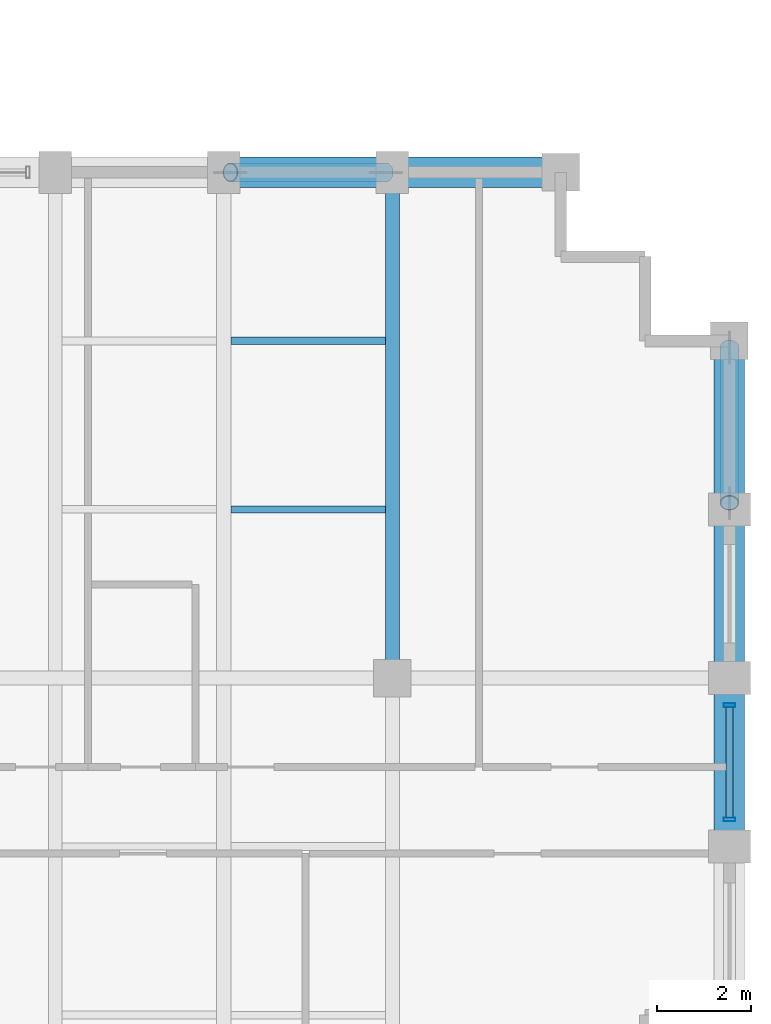
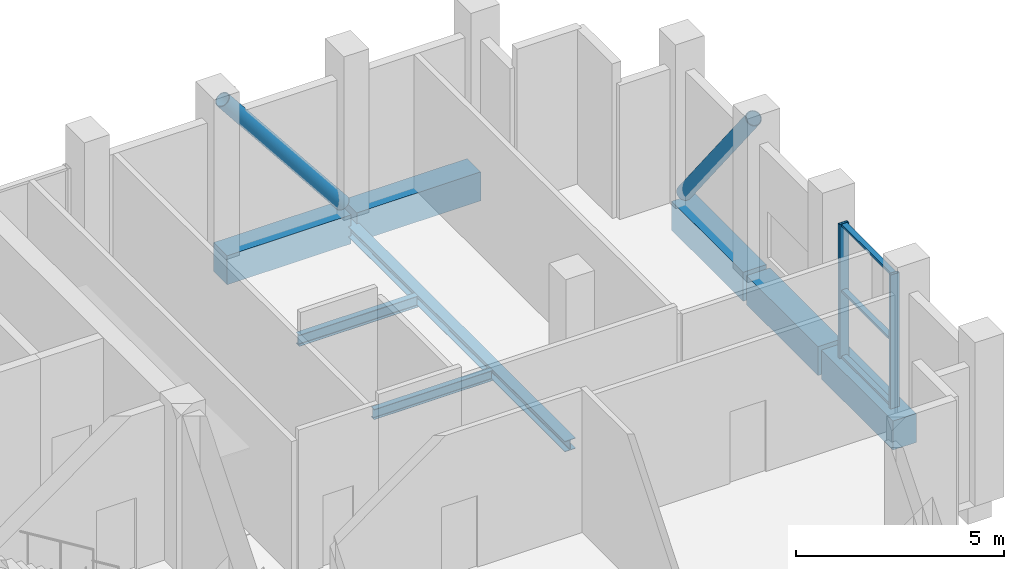
# One storey, part 10 of 16: 8 beams, 7 members, 1 element without a shape of its own.
"""IFC4 building model written with IfcOpenShell, lengths in metres."""

from ifc_helpers import new_model, si_unit, direction, frame, origin, origin_2d, place, context, subcontext, project, spatial, rectangle, hollow_rectangle, hollow_circle, i_section, extrude, material, layer, layer_set, material_profile, profile_set, type_object, element, aggregate, save


model = new_model("IFC4")

# Units and contexts
model_context = context("Model", 3, precision=1e-05, world=origin(), true_north=direction((0.0, 1.0)))
body_context = subcontext(model_context, "Body", "Model", "MODEL_VIEW")
ifc_project = project(units=[si_unit("LENGTHUNIT", "METRE"), si_unit("AREAUNIT", "SQUARE_METRE"), si_unit("VOLUMEUNIT", "CUBIC_METRE"), si_unit("PLANEANGLEUNIT", "RADIAN"), si_unit("MASSUNIT", "GRAM", prefix="KILO")], contexts=[model_context])

# Site, building, storey
site_placement = place(None, origin())
site = spatial("IfcSite", under=ifc_project, at=site_placement, CompositionType="ELEMENT")
building_placement = place(site_placement, origin())
building = spatial("IfcBuilding", under=site, at=building_placement, Name="Solnavia Interchange Tower", CompositionType="ELEMENT")
storey_placement = place(building_placement, frame((0.0, 0.0, 209.0)))
storey = spatial("IfcBuildingStorey", under=building, at=storey_placement, Name="L52", CompositionType="ELEMENT", Elevation=209.0)

# Beams
ifc_material_1 = material(Name="Steel S355", Category="steel")
ifc_material_profile_1 = material_profile(ifc_material_1, i_section(OverallWidth=0.14990234375, OverallDepth=0.300048828125, WebThickness=0.007080078125, FlangeThickness=0.0107421875, FilletRadius=0.014892578125, at=origin_2d()), Name="IPE 300")
ifc_profile_set_1 = profile_set([ifc_material_profile_1], Name="Steel S355")
beam_type_1 = type_object("IfcBeamType", Name="Beam-Joist-IPE300", PredefinedType="JOIST", material=ifc_profile_set_1)
beam_1_placement = place(storey_placement, frame((39.75, 18.0, -0.469970703125), z_axis=(1.0, 0.0, 0.0), x_axis=(0.0, 1.0, 0.0)))
element("IfcBeam", 1, at=beam_1_placement, inside=storey, type_object=beam_type_1, Name="JST-L52-E06 East wing secondary joist", PredefinedType="JOIST", context=body_context, shape_type="SweptSolid", body=[
    extrude(i_section(OverallWidth=0.14990234375, OverallDepth=0.300048828125, WebThickness=0.007080078125, FlangeThickness=0.0107421875, FilletRadius=0.014892578125, at=origin_2d()), origin(), (0.0, 0.0, 1.0), 3.300048828125),
])
ifc_material_profile_2 = material_profile(ifc_material_1, i_section(OverallWidth=0.159912109375, OverallDepth=0.330078125, WebThickness=0.007568359375, FlangeThickness=0.011474609375, FilletRadius=0.01806640625, at=origin_2d()), Name="IPE 330")
ifc_profile_set_2 = profile_set([ifc_material_profile_2], Name="Steel S355")
beam_type_2 = type_object("IfcBeamType", Name="Beam-Joist-IPE330", PredefinedType="JOIST", material=ifc_profile_set_2)
beam_2_placement = place(storey_placement, frame((39.75, 21.60009765625, -0.485107421875), z_axis=(1.0, 0.0, 0.0), x_axis=(0.0, 1.0, 0.0)))
element("IfcBeam", 2, at=beam_2_placement, inside=storey, type_object=beam_type_2, Name="JST-L52-E08 East wing secondary joist", PredefinedType="JOIST", context=body_context, shape_type="SweptSolid", body=[
    extrude(i_section(OverallWidth=0.159912109375, OverallDepth=0.330078125, WebThickness=0.007568359375, FlangeThickness=0.011474609375, FilletRadius=0.01806640625, at=origin_2d()), origin(), (0.0, 0.0, 1.0), 3.300048828125),
])
ifc_material_profile_3 = material_profile(ifc_material_1, i_section(OverallWidth=0.300048828125, OverallDepth=0.31005859375, WebThickness=0.009033203125, FlangeThickness=0.015380859375, FilletRadius=0.027099609375, at=origin_2d()), Name="HEA 320")
ifc_profile_set_3 = profile_set([ifc_material_profile_3], Name="Steel S355")
beam_type_3 = type_object("IfcBeamType", Name="Beam-Primary-HEA320", PredefinedType="BEAM", material=ifc_profile_set_3)
beam_3_placement = place(storey_placement, frame((43.199951171875, 14.47998046875, -0.47509765625), z_axis=(0.0, 1.0, 0.0), x_axis=(-1.0, 0.0, 0.0)))
element("IfcBeam", 3, at=beam_3_placement, inside=storey, type_object=beam_type_3, Name="GRD-L52-EW06 East wing primary floor girder", PredefinedType="BEAM", context=body_context, shape_type="SweptSolid", body=[
    extrude(i_section(OverallWidth=0.300048828125, OverallDepth=0.31005859375, WebThickness=0.009033203125, FlangeThickness=0.015380859375, FilletRadius=0.027099609375, at=origin_2d()), origin(), (0.0, 0.0, 1.0), 10.64013671875),
])
ifc_material_2 = material(Name="Concrete C50/60", Category="concrete")
ifc_material_profile_4 = material_profile(ifc_material_2, rectangle(XDim=0.64990234375, YDim=0.85009765625, at=origin_2d()), Name="RC 650x850")
ifc_profile_set_4 = profile_set([ifc_material_profile_4], Name="Concrete C50/60")
beam_type_4 = type_object("IfcBeamType", Name="Beam-Spandrel-RC650x850", PredefinedType="SPANDREL", material=ifc_profile_set_4)
beam_4_placement = place(storey_placement, frame((50.39990234375, 10.8798828125, -0.425048828125), z_axis=(0.0, 1.0, 0.0), x_axis=(-1.0, 0.0, 0.0)))
element("IfcBeam", 4, at=beam_4_placement, inside=storey, type_object=beam_type_4, Name="SPB-L52-16 Framed-tube perimeter spandrel beam", PredefinedType="SPANDREL", context=body_context, shape_type="SweptSolid", body=[
    extrude(rectangle(XDim=0.64990234375, YDim=0.85009765625, at=origin_2d()), origin(), (0.0, 0.0, 1.0), 3.440185546875),
])
for number, where, z_axis, x_axis, name in (
    (5, (50.39990234375, 14.47998046875, -0.425048828125), (0.0, 1.0, 0.0), (-1.0, 0.0, 0.0), "SPB-L52-17 Framed-tube perimeter spandrel beam"),
    (6, (50.39990234375, 18.080078125, -0.425048828125), (0.0, 1.0, 0.0), (-1.0, 0.0, 0.0), "SPB-L52-18 Framed-tube perimeter spandrel beam"),
    (7, (46.719970703125, 25.199951171875, -0.425048828125), (-1.0, 0.0, 0.0), (0.0, -1.0, 0.0), "SPB-L52-19 Framed-tube perimeter spandrel beam"),
):
    element("IfcBeam", number, at=place(storey_placement, frame(where, z_axis=z_axis, x_axis=x_axis)), inside=storey, type_object=beam_type_4, Name=name, PredefinedType="SPANDREL", context=body_context, shape_type="SweptSolid", body=[
        extrude(rectangle(XDim=0.64990234375, YDim=0.85009765625, at=origin_2d()), origin(), (0.0, 0.0, 1.0), 3.43994140625),
    ])
beam_5_placement = place(storey_placement, frame((43.1201171875, 25.199951171875, -0.425048828125), z_axis=(-1.0, 0.0, 0.0), x_axis=(0.0, -1.0, 0.0)))
element("IfcBeam", 8, at=beam_5_placement, inside=storey, type_object=beam_type_4, Name="SPB-L52-20 Framed-tube perimeter spandrel beam", PredefinedType="SPANDREL", context=body_context, shape_type="SweptSolid", body=[
    extrude(rectangle(XDim=0.64990234375, YDim=0.85009765625, at=origin_2d()), origin(), (0.0, 0.0, 1.0), 3.440185546875),
])

# Members
ifc_material_3 = material(Name="Steel S460", Category="steel")
ifc_material_profile_5 = material_profile(ifc_material_3, hollow_circle(Radius=0.203125, WallThickness=0.02001953125, at=origin_2d()), Name="CHS 406.4x20")
ifc_profile_set_5 = profile_set([ifc_material_profile_5], Name="Steel S460")
member_type_1 = type_object("IfcMemberType", Name="Brace-Perim-CHS406", PredefinedType="BRACE", material=ifc_profile_set_5)
for number, where, z_axis, x_axis, name in (
    (9, (50.39990234375, 21.4599609375, 0.179931640625), (0.0, -0.621029238576, 0.783787397726), (1.0, 0.0, 0.0), "BRC-L52-02 Perimeter tube diagonal brace"),
    (10, (43.06005859375, 25.199951171875, 0.179931640625), (-0.621029238576, 0.0, 0.783787397726), (0.0, -1.0, 0.0), "BRC-L52-04 Perimeter tube diagonal brace"),
):
    element("IfcMember", number, at=place(storey_placement, frame(where, z_axis=z_axis, x_axis=x_axis)), inside=storey, type_object=member_type_1, Name=name, PredefinedType="BRACE", context=body_context, shape_type="SweptSolid", body=[
        extrude(hollow_circle(Radius=0.203125, WallThickness=0.02001953125, at=origin_2d()), origin(), (0.0, 0.0, 1.0), 5.34619140625),
    ])

# Curtain wall, members
ifc_material_4 = material(Name="Aluminium Alloy 6063-T6", Category="aluminium")
ifc_layer = layer(ifc_material_4, 0.27001953125)
ifc_layer_set = layer_set([ifc_layer], Name="Aluminium Alloy 6063-T6")
curtain_wall_type = type_object("IfcCurtainWallType", Name="CurtainWall-SkyLobby-CTW4", PredefinedType="NOTDEFINED", material=ifc_layer_set)
curtain_wall_placement = place(storey_placement, origin())
curtain_wall = element("IfcCurtainWall", 11, at=curtain_wall_placement, inside=storey, type_object=curtain_wall_type, Name="CTW-L52-S14 CTW-4 curtain wall", PredefinedType="NOTDEFINED")
ifc_material_profile_6 = material_profile(ifc_material_4, hollow_rectangle(XDim=0.080078125, YDim=0.25, WallThickness=0.006103515625, at=origin_2d()), Name="ALU 250x80x6")
ifc_profile_set_6 = profile_set([ifc_material_profile_6], Name="Aluminium Alloy 6063-T6")
member_type_2 = type_object("IfcMemberType", Name="CW-Mullion-CWM-4", PredefinedType="MULLION", material=ifc_profile_set_6)
member_1_placement = place(storey_placement, frame((50.39990234375, 11.3798828125, 0.0), z_axis=(0.0, 0.0, 1.0), x_axis=(0.0, 1.0, 0.0)))
member_1 = element("IfcMember", 12, at=member_1_placement, type_object=member_type_2, Name="CTW-4 mullion 1", PredefinedType="MULLION", context=body_context, shape_type="SweptSolid", body=[
    extrude(hollow_rectangle(XDim=0.080078125, YDim=0.25, WallThickness=0.006103515625, at=origin_2d()), origin(), (0.0, 0.0, 1.0), 3.929931640625),
])
member_2_placement = place(storey_placement, frame((50.39990234375, 13.820068359375, 0.0), z_axis=(0.0, 0.0, 1.0), x_axis=(0.0, 1.0, 0.0)))
member_2 = element("IfcMember", 13, at=member_2_placement, type_object=member_type_2, Name="CTW-4 mullion 2", PredefinedType="MULLION", context=body_context, shape_type="SweptSolid", body=[
    extrude(hollow_rectangle(XDim=0.080078125, YDim=0.25, WallThickness=0.006103515625, at=origin_2d()), origin(), (0.0, 0.0, 1.0), 3.929931640625),
])
ifc_material_profile_7 = material_profile(ifc_material_4, hollow_rectangle(XDim=0.070068359375, YDim=0.14990234375, WallThickness=0.00439453125, at=origin_2d()), Name="ALU 150x70x4.5")
ifc_profile_set_7 = profile_set([ifc_material_profile_7], Name="Aluminium Alloy 6063-T6")
member_type_3 = type_object("IfcMemberType", Name="CW-Transom-CWT-4", PredefinedType="USERDEFINED", material=ifc_profile_set_7)
member_3_placement = place(storey_placement, frame((50.39990234375, 11.419921875, 0.034912109375), z_axis=(0.0, 1.0, 0.0), x_axis=(0.0, 0.0, 1.0)))
member_3 = element("IfcMember", 14, at=member_3_placement, type_object=member_type_3, Name="CTW-4 transom 1.1", ObjectType="TRANSOM", PredefinedType="USERDEFINED", context=body_context, shape_type="SweptSolid", body=[
    extrude(hollow_rectangle(XDim=0.070068359375, YDim=0.14990234375, WallThickness=0.00439453125, at=origin_2d()), origin(), (0.0, 0.0, 1.0), 2.360107421875),
])
member_4_placement = place(storey_placement, frame((50.39990234375, 11.419921875, 1.965087890625), z_axis=(0.0, 1.0, 0.0), x_axis=(0.0, 0.0, 1.0)))
member_4 = element("IfcMember", 15, at=member_4_placement, type_object=member_type_3, Name="CTW-4 transom 1.2", ObjectType="TRANSOM", PredefinedType="USERDEFINED", context=body_context, shape_type="SweptSolid", body=[
    extrude(hollow_rectangle(XDim=0.070068359375, YDim=0.14990234375, WallThickness=0.00439453125, at=origin_2d()), origin(), (0.0, 0.0, 1.0), 2.360107421875),
])
member_5_placement = place(storey_placement, frame((50.39990234375, 11.419921875, 3.89501953125), z_axis=(0.0, 1.0, 0.0), x_axis=(0.0, 0.0, 1.0)))
member_5 = element("IfcMember", 16, at=member_5_placement, type_object=member_type_3, Name="CTW-4 transom 1.3", ObjectType="TRANSOM", PredefinedType="USERDEFINED", context=body_context, shape_type="SweptSolid", body=[
    extrude(hollow_rectangle(XDim=0.070068359375, YDim=0.14990234375, WallThickness=0.00439453125, at=origin_2d()), origin(), (0.0, 0.0, 1.0), 2.360107421875),
])
aggregate(curtain_wall, [member_1, member_2, member_3, member_4, member_5])

save(model, "model.ifc")
